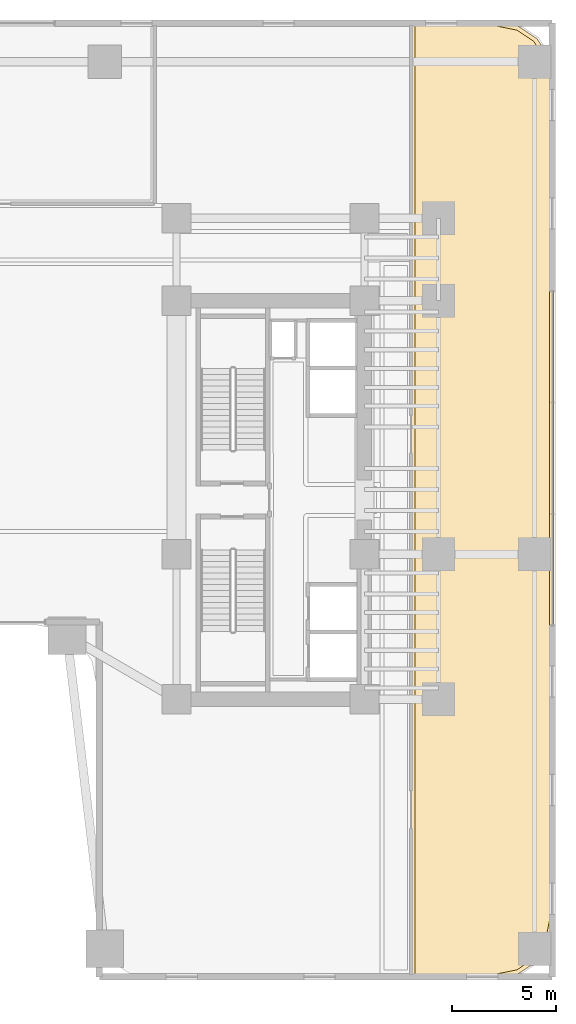
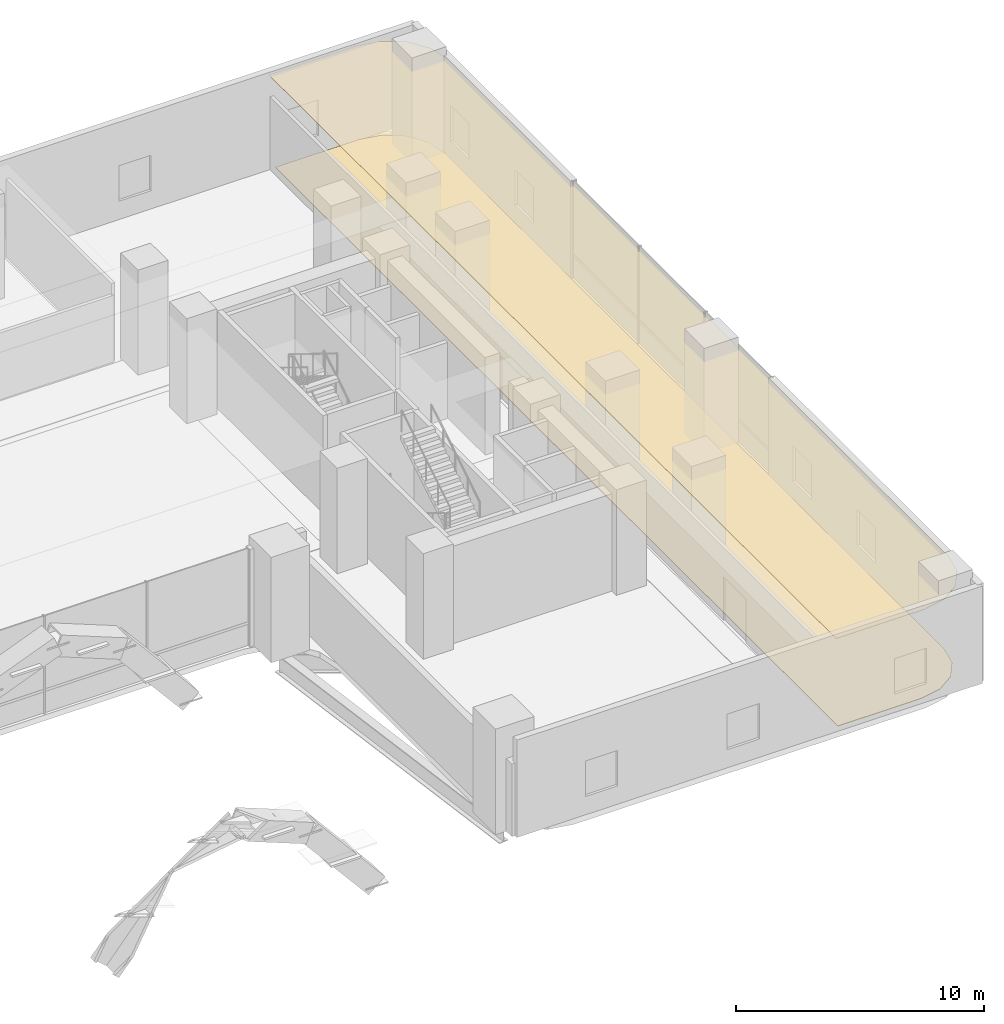
# One storey, part 39 of 39: 2 coverings.
"""IFC4 building model written with IfcOpenShell, lengths in metres."""

from ifc_helpers import new_model, si_unit, direction, frame, origin, place, context, subcontext, project, spatial, polyline, outline, extrude, material, layer, layer_set, type_object, element, save


model = new_model("IFC4")

# Units and contexts
model_context = context("Model", 3, precision=1e-05, world=origin(), true_north=direction((0.0, 1.0)))
body_context = subcontext(model_context, "Body", "Model", "MODEL_VIEW")
ifc_project = project(units=[si_unit("LENGTHUNIT", "METRE"), si_unit("AREAUNIT", "SQUARE_METRE"), si_unit("VOLUMEUNIT", "CUBIC_METRE"), si_unit("PLANEANGLEUNIT", "RADIAN"), si_unit("MASSUNIT", "GRAM", prefix="KILO")], contexts=[model_context])

# Site, building, storey
site_placement = place(None, origin())
site = spatial("IfcSite", under=ifc_project, at=site_placement, CompositionType="ELEMENT")
building_placement = place(site_placement, origin())
building = spatial("IfcBuilding", under=site, at=building_placement, Name="Valdorenza Pilgrim Sanctuary Tower", CompositionType="ELEMENT")
storey_placement = place(building_placement, frame((0.0, 0.0, 15.60009765625)))
storey = spatial("IfcBuildingStorey", under=building, at=storey_placement, Name="L03", CompositionType="ELEMENT", Elevation=15.60009765625)

# Coverings
ifc_material_1 = material(Name="Micro-perforated acoustic mineral ceiling tile", Category="gypsum")
ifc_layer_1 = layer(ifc_material_1, 0.02490234375, Name="Micro-perforated acoustic mineral ceiling tile")
ifc_layer_set_1 = layer_set([ifc_layer_1], Name="Micro-perforated acoustic mineral ceiling tile")
covering_type_1 = type_object("IfcCoveringType", Name="COV-CLG-ACU", PredefinedType="CEILING", material=ifc_layer_set_1)
covering_1_placement = place(storey_placement, frame((0.0, 0.0, 4.5)))
element("IfcCovering", 1, at=covering_1_placement, inside=storey, type_object=covering_type_1, Name="L03 Theological Reference Library Acoustic Ceiling", PredefinedType="CEILING", context=body_context, shape_type="SweptSolid", body=[
    extrude(outline(polyline([(31.189208984375, 22.905029296875), (31.190673828125, 22.90478515625), (31.192138671875, 22.90478515625), (32.2314453125, 22.697998046875), (32.23291015625, 22.697509765625), (32.234375, 22.697021484375), (32.235595703125, 22.696533203125), (32.23681640625, 22.69580078125), (33.10888671875, 22.113037109375), (33.110107421875, 22.1123046875), (33.111083984375, 22.111083984375), (33.1123046875, 22.110107421875), (33.113037109375, 22.10888671875), (33.69580078125, 21.23681640625), (33.696533203125, 21.235595703125), (33.697021484375, 21.234375), (33.697509765625, 21.23291015625), (33.697998046875, 21.2314453125), (33.90478515625, 20.192138671875), (33.90478515625, 20.190673828125), (33.905029296875, 20.189208984375), (33.905029296875, -20.189208984375), (33.90478515625, -20.190673828125), (33.90478515625, -20.192138671875), (33.697998046875, -21.2314453125), (33.697509765625, -21.23291015625), (33.697021484375, -21.234375), (33.696533203125, -21.235595703125), (33.69580078125, -21.23681640625), (33.113037109375, -22.10888671875), (33.1123046875, -22.110107421875), (33.111083984375, -22.111083984375), (33.110107421875, -22.1123046875), (33.10888671875, -22.113037109375), (32.23681640625, -22.69580078125), (32.235595703125, -22.696533203125), (32.234375, -22.697021484375), (32.23291015625, -22.697509765625), (32.2314453125, -22.697998046875), (31.192138671875, -22.90478515625), (31.190673828125, -22.90478515625), (31.189208984375, -22.905029296875), (27.10009765625, -22.905029296875), (27.098388671875, -22.90478515625), (27.09716796875, -22.90478515625), (27.095703125, -22.904296875), (27.09423828125, -22.90380859375), (27.093017578125, -22.9033203125), (27.091796875, -22.902587890625), (27.090576171875, -22.901611328125), (27.08935546875, -22.900634765625), (27.08837890625, -22.8994140625), (27.08740234375, -22.898193359375), (27.0869140625, -22.897216796875), (27.086181640625, -22.895751953125), (27.085693359375, -22.894287109375), (27.085205078125, -22.892822265625), (27.085205078125, -22.8916015625), (27.0849609375, -22.889892578125), (27.0849609375, 22.889892578125), (27.085205078125, 22.8916015625), (27.085205078125, 22.892822265625), (27.085693359375, 22.894287109375), (27.086181640625, 22.895751953125), (27.0869140625, 22.897216796875), (27.08740234375, 22.898193359375), (27.08837890625, 22.8994140625), (27.08935546875, 22.900634765625), (27.090576171875, 22.901611328125), (27.091796875, 22.902587890625), (27.093017578125, 22.9033203125), (27.09423828125, 22.90380859375), (27.095703125, 22.904296875), (27.09716796875, 22.90478515625), (27.098388671875, 22.90478515625), (27.10009765625, 22.905029296875), (31.189208984375, 22.905029296875)])), origin(), (0.0, 0.0, 1.0), 0.02490234375),
])
ifc_material_2 = material(Name="Honed travertine stone flooring", Category="masonry")
ifc_layer_2 = layer(ifc_material_2, 0.030029296875, Name="Honed travertine stone flooring")
ifc_layer_set_2 = layer_set([ifc_layer_2], Name="Honed travertine stone flooring")
covering_type_2 = type_object("IfcCoveringType", Name="COV-FLR-TRV", PredefinedType="FLOORING", material=ifc_layer_set_2)
covering_2_placement = place(storey_placement, origin())
element("IfcCovering", 2, at=covering_2_placement, inside=storey, type_object=covering_type_2, Name="L03 Theological Reference Library Flooring", PredefinedType="FLOORING", context=body_context, shape_type="SweptSolid", body=[
    extrude(outline(polyline([(31.17138671875, 22.7099609375), (32.158203125, 22.513671875), (32.970703125, 21.970703125), (33.513671875, 21.158203125), (33.7099609375, 20.17138671875), (33.7099609375, -20.17138671875), (33.513671875, -21.158203125), (32.970703125, -21.970703125), (32.158203125, -22.513671875), (31.17138671875, -22.7099609375), (27.280029296875, -22.7099609375), (27.280029296875, 22.7099609375), (31.17138671875, 22.7099609375)])), origin(), (0.0, 0.0, 1.0), 0.02490234375),
])

save(model, "model.ifc")
